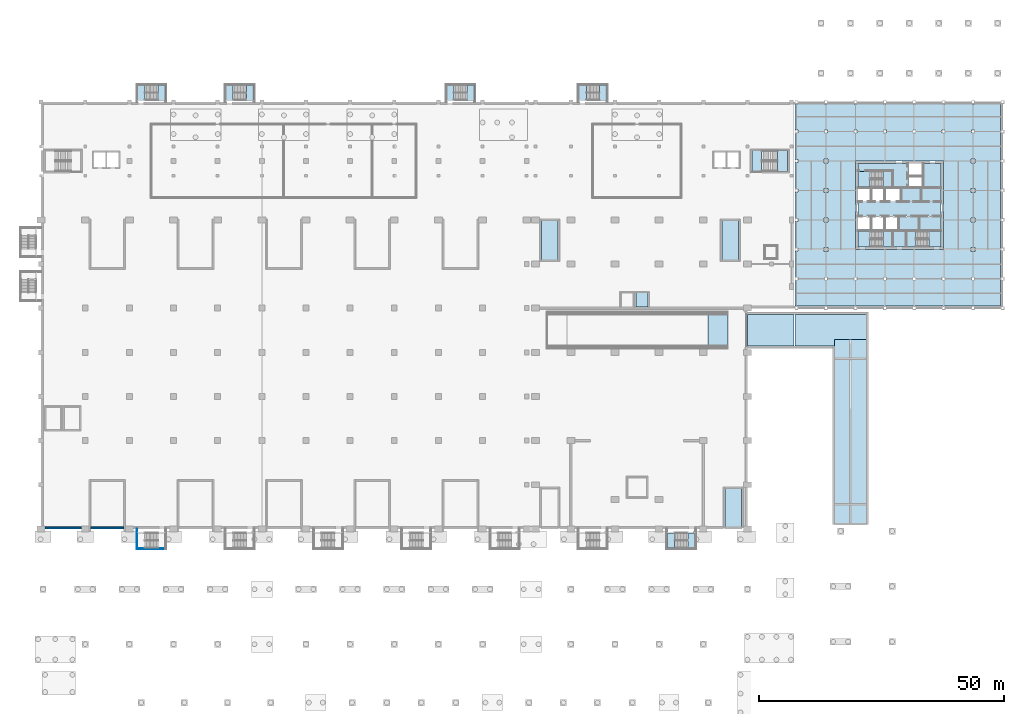
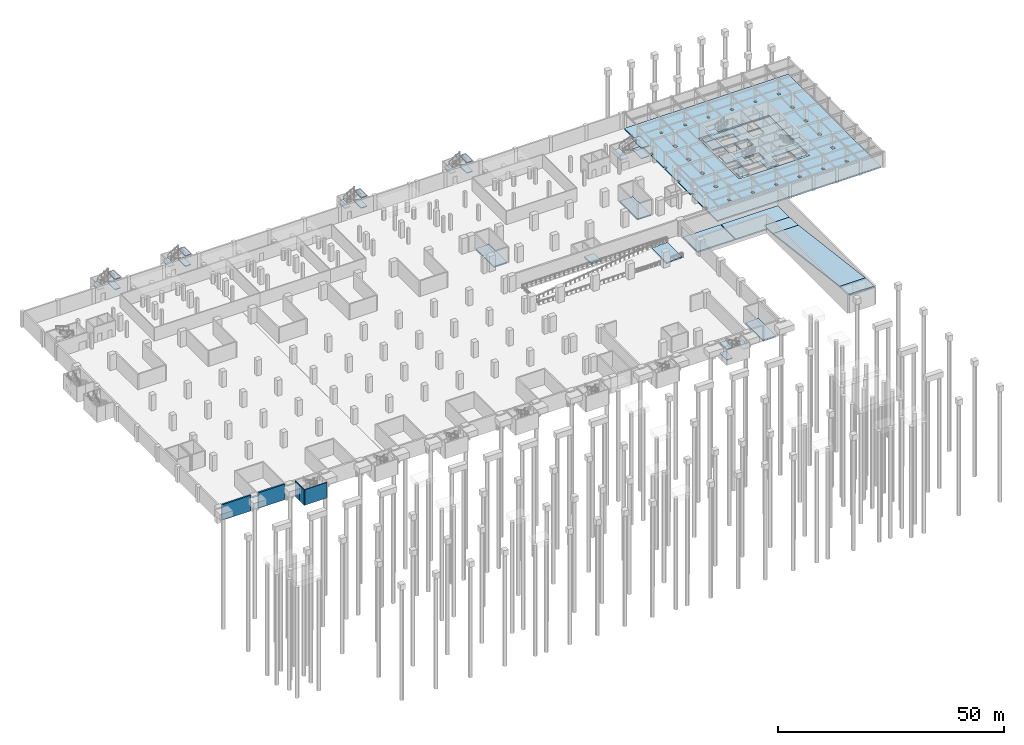
# One storey, part 10 of 27: 39 slabs, 5 walls, 9 elements without a shape of their own.
"""IFC4 building model written with IfcOpenShell, lengths in metres."""

from ifc_helpers import new_model, si_unit, direction, frame, frame_2d, origin, place, context, subcontext, project, spatial, polyline, rectangle, outline, extrude, material, layer, layer_set, type_object, element, aggregate, save


model = new_model("IFC4")

# Units and contexts
model_context = context("Model", 3, precision=1e-05, world=origin(), true_north=direction((0.0, 1.0)))
body_context = subcontext(model_context, "Body", "Model", "MODEL_VIEW")
ifc_project = project(units=[si_unit("LENGTHUNIT", "METRE"), si_unit("AREAUNIT", "SQUARE_METRE"), si_unit("VOLUMEUNIT", "CUBIC_METRE"), si_unit("PLANEANGLEUNIT", "RADIAN"), si_unit("MASSUNIT", "GRAM", prefix="KILO")], contexts=[model_context])

# Site, building, storey
site_placement = place(None, origin())
site = spatial("IfcSite", under=ifc_project, at=site_placement, CompositionType="ELEMENT")
building_placement = place(site_placement, origin())
building = spatial("IfcBuilding", under=site, at=building_placement, Name="Aravalli Gate Trade Fair Centre", CompositionType="ELEMENT")
storey_placement = place(building_placement, frame((0.0, 0.0, -4.199951171875)))
storey = spatial("IfcBuildingStorey", under=building, at=storey_placement, Name="B1", CompositionType="ELEMENT", Elevation=-4.199951171875)

# Slabs
ifc_material_1 = material(Name="Concrete M40", Category="concrete")
ifc_layer_1 = layer(ifc_material_1, 0.35009765625)
ifc_layer_set_1 = layer_set([ifc_layer_1], Name="Concrete M40")
slab_type_1 = type_object("IfcSlabType", Name="Basement floor slab 350", PredefinedType="FLOOR", material=ifc_layer_set_1)
slab_1_placement = place(storey_placement, frame((0.0, 0.0, -0.35009765625)))
element("IfcSlab", 1, at=slab_1_placement, inside=storey, type_object=slab_type_1, Name="Basement floor slab B1 west of the seismic joint", PredefinedType="FLOOR", context=body_context, shape_type="SweptSolid", body=[
    extrude(outline(polyline([(111.39794921875, 100.85205078125), (108.001953125, 100.85205078125), (108.001953125, 108.847900390625), (111.39794921875, 108.847900390625), (111.39794921875, 100.85205078125)])), origin(), (0.0, 0.0, 1.0), 0.35009765625),
])
slab_2_placement = place(storey_placement, frame((0.0, 0.0, -0.35009765625)))
element("IfcSlab", 2, at=slab_2_placement, inside=storey, type_object=slab_type_1, Name="Basement floor slab B1 west of the seismic joint", PredefinedType="FLOOR", context=body_context, shape_type="SweptSolid", body=[
    extrude(outline(polyline([(127.251953125, 94.14794921875), (129.748046875, 94.14794921875), (129.748046875, 91.201904296875), (127.251953125, 91.201904296875), (127.251953125, 94.14794921875)])), origin(), (0.0, 0.0, 1.0), 0.35009765625),
])
slab_3_placement = place(storey_placement, frame((0.0, 0.0, -0.35009765625)))
element("IfcSlab", 3, at=slab_3_placement, inside=storey, type_object=slab_type_1, Name="Basement floor slab B1 west of the seismic joint", PredefinedType="FLOOR", context=body_context, shape_type="SweptSolid", body=[
    extrude(outline(polyline([(144.802001953125, 100.85205078125), (144.802001953125, 108.847900390625), (148.197998046875, 108.847900390625), (148.197998046875, 100.85205078125), (144.802001953125, 100.85205078125)])), origin(), (0.0, 0.0, 1.0), 0.35009765625),
])
slab_4_placement = place(storey_placement, frame((0.0, 0.0, -0.35009765625)))
element("IfcSlab", 4, at=slab_4_placement, inside=storey, type_object=slab_type_1, Name="Basement floor slab B1 west of the seismic joint", PredefinedType="FLOOR", context=body_context, shape_type="SweptSolid", body=[
    extrude(outline(polyline([(145.402099609375, 46.39990234375), (145.402099609375, 54.197998046875), (148.798095703125, 54.197998046875), (148.798095703125, 46.39990234375), (145.402099609375, 46.39990234375)])), origin(), (0.0, 0.0, 1.0), 0.35009765625),
])
slab_5_placement = place(storey_placement, frame((0.0, 0.0, -0.35009765625)))
element("IfcSlab", 5, at=slab_5_placement, inside=storey, type_object=slab_type_1, Name="Basement floor slab B1 east of the seismic joint", PredefinedType="FLOOR", context=body_context, shape_type="SweptSolid", body=[
    extrude(outline(polyline([(201.60009765625, 132.60009765625), (201.60009765625, 91.39990234375), (159.699951171875, 91.39990234375), (159.699951171875, 96.697998046875), (160.302001953125, 96.697998046875), (160.302001953125, 97.302001953125), (159.699951171875, 97.302001953125), (159.699951171875, 102.697998046875), (160.302001953125, 102.697998046875), (160.302001953125, 103.302001953125), (159.699951171875, 103.302001953125), (159.699951171875, 108.697998046875), (160.302001953125, 108.697998046875), (160.302001953125, 109.302001953125), (159.699951171875, 109.302001953125), (159.699951171875, 114.697998046875), (160.302001953125, 114.697998046875), (160.302001953125, 115.302001953125), (159.699951171875, 115.302001953125), (159.699951171875, 120.697998046875), (160.302001953125, 120.697998046875), (160.302001953125, 121.302001953125), (159.699951171875, 121.302001953125), (159.699951171875, 126.697998046875), (160.302001953125, 126.697998046875), (160.302001953125, 127.302001953125), (159.699951171875, 127.302001953125), (159.699951171875, 132.60009765625), (201.60009765625, 132.60009765625)]), holes=[polyline([(196.402099609375, 121.402099609375), (195.597900390625, 121.402099609375), (195.597900390625, 120.597900390625), (196.402099609375, 120.597900390625), (196.402099609375, 121.402099609375)]), polyline([(196.402099609375, 115.402099609375), (195.597900390625, 115.402099609375), (195.597900390625, 114.597900390625), (196.402099609375, 114.597900390625), (196.402099609375, 115.402099609375)]), polyline([(196.402099609375, 108.597900390625), (196.402099609375, 109.402099609375), (195.597900390625, 109.402099609375), (195.597900390625, 108.597900390625), (196.402099609375, 108.597900390625)]), polyline([(196.402099609375, 102.597900390625), (196.402099609375, 103.402099609375), (195.597900390625, 103.402099609375), (195.597900390625, 102.597900390625), (196.402099609375, 102.597900390625)]), polyline([(196.302001953125, 126.697998046875), (196.302001953125, 127.302001953125), (195.697998046875, 127.302001953125), (195.697998046875, 126.697998046875), (196.302001953125, 126.697998046875)]), polyline([(196.302001953125, 97.302001953125), (195.697998046875, 97.302001953125), (195.697998046875, 96.697998046875), (196.302001953125, 96.697998046875), (196.302001953125, 97.302001953125)]), polyline([(190.302001953125, 127.302001953125), (189.697998046875, 127.302001953125), (189.697998046875, 126.697998046875), (190.302001953125, 126.697998046875), (190.302001953125, 127.302001953125)]), polyline([(190.302001953125, 96.697998046875), (190.302001953125, 97.302001953125), (189.697998046875, 97.302001953125), (189.697998046875, 96.697998046875), (190.302001953125, 96.697998046875)]), polyline([(190.001953125, 103.498046875), (190.001953125, 103.501953125), (190.001953125, 120.498046875), (190.001953125, 120.501953125), (190.001953125, 121.001953125), (171.998046875, 121.001953125), (171.998046875, 120.501953125), (171.998046875, 120.498046875), (171.998046875, 103.501953125), (171.998046875, 103.498046875), (171.998046875, 102.998046875), (190.001953125, 102.998046875), (190.001953125, 103.498046875)]), polyline([(184.302001953125, 97.302001953125), (183.697998046875, 97.302001953125), (183.697998046875, 96.697998046875), (184.302001953125, 96.697998046875), (184.302001953125, 97.302001953125)]), polyline([(184.302001953125, 126.697998046875), (184.302001953125, 127.302001953125), (183.697998046875, 127.302001953125), (183.697998046875, 126.697998046875), (184.302001953125, 126.697998046875)]), polyline([(178.302001953125, 126.697998046875), (178.302001953125, 127.302001953125), (177.697998046875, 127.302001953125), (177.697998046875, 126.697998046875), (178.302001953125, 126.697998046875)]), polyline([(178.302001953125, 97.302001953125), (177.697998046875, 97.302001953125), (177.697998046875, 96.697998046875), (178.302001953125, 96.697998046875), (178.302001953125, 97.302001953125)]), polyline([(172.302001953125, 127.302001953125), (171.697998046875, 127.302001953125), (171.697998046875, 126.697998046875), (172.302001953125, 126.697998046875), (172.302001953125, 127.302001953125)]), polyline([(172.302001953125, 96.697998046875), (172.302001953125, 97.302001953125), (171.697998046875, 97.302001953125), (171.697998046875, 96.697998046875), (172.302001953125, 96.697998046875)]), polyline([(166.402099609375, 120.597900390625), (166.402099609375, 121.402099609375), (165.597900390625, 121.402099609375), (165.597900390625, 120.597900390625), (166.402099609375, 120.597900390625)]), polyline([(166.402099609375, 114.597900390625), (166.402099609375, 115.402099609375), (165.597900390625, 115.402099609375), (165.597900390625, 114.597900390625), (166.402099609375, 114.597900390625)]), polyline([(166.402099609375, 109.402099609375), (165.597900390625, 109.402099609375), (165.597900390625, 108.597900390625), (166.402099609375, 108.597900390625), (166.402099609375, 109.402099609375)]), polyline([(166.402099609375, 102.597900390625), (166.402099609375, 103.402099609375), (165.597900390625, 103.402099609375), (165.597900390625, 102.597900390625), (166.402099609375, 102.597900390625)]), polyline([(166.302001953125, 96.697998046875), (166.302001953125, 97.302001953125), (165.697998046875, 97.302001953125), (165.697998046875, 96.697998046875), (166.302001953125, 96.697998046875)]), polyline([(166.302001953125, 126.697998046875), (166.302001953125, 127.302001953125), (165.697998046875, 127.302001953125), (165.697998046875, 126.697998046875), (166.302001953125, 126.697998046875)])]), origin(), (0.0, 0.0, 1.0), 0.35009765625),
])
slab_6_placement = place(storey_placement, frame((0.0, 0.0, -0.35009765625)))
element("IfcSlab", 6, at=slab_6_placement, inside=storey, type_object=slab_type_1, Name="Basement floor slab B1 east of the seismic joint", PredefinedType="FLOOR", context=body_context, shape_type="SweptSolid", body=[
    extrude(outline(polyline([(189.498046875, 106.701904296875), (182.498046875, 106.701904296875), (182.498046875, 103.501953125), (179.501953125, 103.501953125), (179.501953125, 106.701904296875), (172.501953125, 106.701904296875), (172.501953125, 106.89794921875), (175.10205078125, 106.89794921875), (175.10205078125, 109.60205078125), (172.501953125, 109.60205078125), (172.501953125, 112.798095703125), (175.10205078125, 112.798095703125), (175.10205078125, 115.501953125), (172.501953125, 115.501953125), (172.501953125, 115.697998046875), (179.501953125, 115.697998046875), (179.501953125, 118.902099609375), (172.501953125, 118.902099609375), (172.501953125, 120.498046875), (182.798095703125, 120.498046875), (182.798095703125, 117.998046875), (185.701904296875, 117.998046875), (185.701904296875, 120.498046875), (189.498046875, 120.498046875), (189.498046875, 106.701904296875)]), holes=[polyline([(185.701904296875, 117.802001953125), (182.798095703125, 117.802001953125), (182.798095703125, 115.697998046875), (185.701904296875, 115.697998046875), (185.701904296875, 117.802001953125)]), polyline([(181.302001953125, 112.798095703125), (181.302001953125, 115.501953125), (178.097900390625, 115.501953125), (178.097900390625, 112.798095703125), (181.302001953125, 112.798095703125)]), polyline([(180.701904296875, 106.89794921875), (180.701904296875, 109.60205078125), (178.097900390625, 109.60205078125), (178.097900390625, 106.89794921875), (180.701904296875, 106.89794921875)]), polyline([(177.902099609375, 115.501953125), (175.298095703125, 115.501953125), (175.298095703125, 112.798095703125), (177.902099609375, 112.798095703125), (177.902099609375, 115.501953125)]), polyline([(177.902099609375, 106.89794921875), (177.902099609375, 109.60205078125), (175.298095703125, 109.60205078125), (175.298095703125, 106.89794921875), (177.902099609375, 106.89794921875)])]), origin(), (0.0, 0.0, 1.0), 0.35009765625),
])
ifc_layer_2 = layer(ifc_material_1, 0.35009765625)
ifc_layer_set_2 = layer_set([ifc_layer_2], Name="Concrete M40")
slab_type_2 = type_object("IfcSlabType", Name="Basement ramp landing 350", PredefinedType="LANDING", material=ifc_layer_set_2)
slab_7_placement = place(storey_placement, frame((0.0, 0.0, -0.35009765625)))
element("IfcSlab", 7, at=slab_7_placement, inside=storey, type_object=slab_type_2, Name="Ramp landing B1, part 1 of 2", PredefinedType="LANDING", context=body_context, shape_type="SweptSolid", body=[
    extrude(outline(polyline([(150.0, 83.25), (159.5, 83.25), (159.5, 89.75), (150.0, 89.75), (150.0, 83.25)])), origin(), (0.0, 0.0, 1.0), 0.35009765625),
])
slab_8_placement = place(storey_placement, frame((0.0, 0.0, -0.35009765625)))
element("IfcSlab", 8, at=slab_8_placement, inside=storey, type_object=slab_type_2, Name="Ramp landing B1, part 2 of 2", PredefinedType="LANDING", context=body_context, shape_type="SweptSolid", body=[
    extrude(outline(polyline([(174.25, 89.75), (159.699951171875, 89.75), (159.699951171875, 83.25), (167.75, 83.25), (167.75, 84.60009765625), (174.25, 84.60009765625), (174.25, 89.75)])), origin(), (0.0, 0.0, 1.0), 0.35009765625),
])

# Stair, slabs
stair_type_1 = type_object("IfcStairType", Name="Basement exit stair 1500", PredefinedType="HALF_TURN_STAIR", material=ifc_material_1)
stair_1_placement = place(storey_placement, origin())
stair_1 = element("IfcStair", 9, at=stair_1_placement, inside=storey, type_object=stair_type_1, Name="Basement exit stair N1 B1 to L00", PredefinedType="HALF_TURN_STAIR")
ifc_material_2 = material(Name="Concrete M35", Category="concrete")
ifc_layer_3 = layer(ifc_material_2, 0.199951171875)
ifc_layer_set_3 = layer_set([ifc_layer_3], Name="Concrete M35")
slab_type_3 = type_object("IfcSlabType", Name="Basement stair landing 200", PredefinedType="LANDING", material=ifc_layer_set_3)
slab_9_placement = place(storey_placement, frame((0.0, 0.0, 1.199951171875)))
slab_9 = element("IfcSlab", 10, at=slab_9_placement, type_object=slab_type_3, Name="BS1 landing 1", PredefinedType="LANDING", context=body_context, shape_type="SweptSolid", body=[
    extrude(outline(polyline([(29.85009765625, 133.3798828125), (31.35009765625, 133.3798828125), (31.35009765625, 136.47998046875), (29.85009765625, 136.47998046875), (29.85009765625, 133.3798828125)])), origin(), (0.0, 0.0, 1.0), 0.199951171875),
])
slab_10_placement = place(storey_placement, frame((0.0, 0.0, 2.599853515625)))
slab_10 = element("IfcSlab", 11, at=slab_10_placement, type_object=slab_type_3, Name="BS1 landing 2", PredefinedType="LANDING", context=body_context, shape_type="SweptSolid", body=[
    extrude(outline(polyline([(25.64990234375, 133.3798828125), (27.14990234375, 133.3798828125), (27.14990234375, 136.47998046875), (25.64990234375, 136.47998046875), (25.64990234375, 133.3798828125)])), origin(), (0.0, 0.0, 1.0), 0.2001953125),
])
slab_11_placement = place(storey_placement, frame((0.0, 0.0, 4.0)))
slab_11 = element("IfcSlab", 12, at=slab_11_placement, type_object=slab_type_3, Name="BS1 landing 3", PredefinedType="LANDING", context=body_context, shape_type="SweptSolid", body=[
    extrude(outline(polyline([(29.85009765625, 133.3798828125), (31.35009765625, 133.3798828125), (31.35009765625, 136.47998046875), (29.85009765625, 136.47998046875), (29.85009765625, 133.3798828125)])), origin(), (0.0, 0.0, 1.0), 0.199951171875),
])
aggregate(stair_1, [slab_9, slab_10, slab_11])

stair_2_placement = place(storey_placement, origin())
stair_2 = element("IfcStair", 13, at=stair_2_placement, inside=storey, type_object=stair_type_1, Name="Basement exit stair N2 B1 to L00", PredefinedType="HALF_TURN_STAIR")
slab_12_placement = place(storey_placement, frame((0.0, 0.0, 1.199951171875)))
slab_12 = element("IfcSlab", 14, at=slab_12_placement, type_object=slab_type_3, Name="BS1 landing 1", PredefinedType="LANDING", context=body_context, shape_type="SweptSolid", body=[
    extrude(outline(polyline([(47.85009765625, 133.3798828125), (49.35009765625, 133.3798828125), (49.35009765625, 136.47998046875), (47.85009765625, 136.47998046875), (47.85009765625, 133.3798828125)])), origin(), (0.0, 0.0, 1.0), 0.199951171875),
])
slab_13_placement = place(storey_placement, frame((0.0, 0.0, 2.599853515625)))
slab_13 = element("IfcSlab", 15, at=slab_13_placement, type_object=slab_type_3, Name="BS1 landing 2", PredefinedType="LANDING", context=body_context, shape_type="SweptSolid", body=[
    extrude(outline(polyline([(43.64990234375, 133.3798828125), (45.14990234375, 133.3798828125), (45.14990234375, 136.47998046875), (43.64990234375, 136.47998046875), (43.64990234375, 133.3798828125)])), origin(), (0.0, 0.0, 1.0), 0.2001953125),
])
slab_14_placement = place(storey_placement, frame((0.0, 0.0, 4.0)))
slab_14 = element("IfcSlab", 16, at=slab_14_placement, type_object=slab_type_3, Name="BS1 landing 3", PredefinedType="LANDING", context=body_context, shape_type="SweptSolid", body=[
    extrude(outline(polyline([(47.85009765625, 133.3798828125), (49.35009765625, 133.3798828125), (49.35009765625, 136.47998046875), (47.85009765625, 136.47998046875), (47.85009765625, 133.3798828125)])), origin(), (0.0, 0.0, 1.0), 0.199951171875),
])
aggregate(stair_2, [slab_12, slab_13, slab_14])

stair_3_placement = place(storey_placement, origin())
stair_3 = element("IfcStair", 17, at=stair_3_placement, inside=storey, type_object=stair_type_1, Name="Basement exit stair N3 B1 to L00", PredefinedType="HALF_TURN_STAIR")
slab_15_placement = place(storey_placement, frame((0.0, 0.0, 1.199951171875)))
slab_15 = element("IfcSlab", 18, at=slab_15_placement, type_object=slab_type_3, Name="BS1 landing 1", PredefinedType="LANDING", context=body_context, shape_type="SweptSolid", body=[
    extrude(outline(polyline([(92.85009765625, 133.3798828125), (94.35009765625, 133.3798828125), (94.35009765625, 136.47998046875), (92.85009765625, 136.47998046875), (92.85009765625, 133.3798828125)])), origin(), (0.0, 0.0, 1.0), 0.199951171875),
])
slab_16_placement = place(storey_placement, frame((0.0, 0.0, 2.599853515625)))
slab_16 = element("IfcSlab", 19, at=slab_16_placement, type_object=slab_type_3, Name="BS1 landing 2", PredefinedType="LANDING", context=body_context, shape_type="SweptSolid", body=[
    extrude(outline(polyline([(88.64990234375, 133.3798828125), (90.14990234375, 133.3798828125), (90.14990234375, 136.47998046875), (88.64990234375, 136.47998046875), (88.64990234375, 133.3798828125)])), origin(), (0.0, 0.0, 1.0), 0.2001953125),
])
slab_17_placement = place(storey_placement, frame((0.0, 0.0, 4.0)))
slab_17 = element("IfcSlab", 20, at=slab_17_placement, type_object=slab_type_3, Name="BS1 landing 3", PredefinedType="LANDING", context=body_context, shape_type="SweptSolid", body=[
    extrude(outline(polyline([(92.85009765625, 133.3798828125), (94.35009765625, 133.3798828125), (94.35009765625, 136.47998046875), (92.85009765625, 136.47998046875), (92.85009765625, 133.3798828125)])), origin(), (0.0, 0.0, 1.0), 0.199951171875),
])
aggregate(stair_3, [slab_15, slab_16, slab_17])

stair_4_placement = place(storey_placement, origin())
stair_4 = element("IfcStair", 21, at=stair_4_placement, inside=storey, type_object=stair_type_1, Name="Basement exit stair N4 B1 to L00", PredefinedType="HALF_TURN_STAIR")
slab_18_placement = place(storey_placement, frame((0.0, 0.0, 1.199951171875)))
slab_18 = element("IfcSlab", 22, at=slab_18_placement, type_object=slab_type_3, Name="BS1 landing 1", PredefinedType="LANDING", context=body_context, shape_type="SweptSolid", body=[
    extrude(outline(polyline([(119.85009765625, 133.3798828125), (121.35009765625, 133.3798828125), (121.35009765625, 136.47998046875), (119.85009765625, 136.47998046875), (119.85009765625, 133.3798828125)])), origin(), (0.0, 0.0, 1.0), 0.199951171875),
])
slab_19_placement = place(storey_placement, frame((0.0, 0.0, 2.599853515625)))
slab_19 = element("IfcSlab", 23, at=slab_19_placement, type_object=slab_type_3, Name="BS1 landing 2", PredefinedType="LANDING", context=body_context, shape_type="SweptSolid", body=[
    extrude(outline(polyline([(115.64990234375, 133.3798828125), (117.14990234375, 133.3798828125), (117.14990234375, 136.47998046875), (115.64990234375, 136.47998046875), (115.64990234375, 133.3798828125)])), origin(), (0.0, 0.0, 1.0), 0.2001953125),
])
slab_20_placement = place(storey_placement, frame((0.0, 0.0, 4.0)))
slab_20 = element("IfcSlab", 24, at=slab_20_placement, type_object=slab_type_3, Name="BS1 landing 3", PredefinedType="LANDING", context=body_context, shape_type="SweptSolid", body=[
    extrude(outline(polyline([(119.85009765625, 133.3798828125), (121.35009765625, 133.3798828125), (121.35009765625, 136.47998046875), (119.85009765625, 136.47998046875), (119.85009765625, 133.3798828125)])), origin(), (0.0, 0.0, 1.0), 0.199951171875),
])
aggregate(stair_4, [slab_18, slab_19, slab_20])

stair_5_placement = place(storey_placement, origin())
stair_5 = element("IfcStair", 25, at=stair_5_placement, inside=storey, type_object=stair_type_1, Name="Basement exit stair S7 B1 to L00", PredefinedType="HALF_TURN_STAIR")
slab_21_placement = place(storey_placement, frame((0.0, 0.0, 1.199951171875)))
slab_21 = element("IfcSlab", 26, at=slab_21_placement, type_object=slab_type_3, Name="BS1 landing 1", PredefinedType="LANDING", context=body_context, shape_type="SweptSolid", body=[
    extrude(outline(polyline([(135.14990234375, 45.199951171875), (133.64990234375, 45.199951171875), (133.64990234375, 42.10009765625), (135.14990234375, 42.10009765625), (135.14990234375, 45.199951171875)])), origin(), (0.0, 0.0, 1.0), 0.199951171875),
])
slab_22_placement = place(storey_placement, frame((0.0, 0.0, 2.599853515625)))
slab_22 = element("IfcSlab", 27, at=slab_22_placement, type_object=slab_type_3, Name="BS1 landing 2", PredefinedType="LANDING", context=body_context, shape_type="SweptSolid", body=[
    extrude(outline(polyline([(139.35009765625, 45.199951171875), (137.85009765625, 45.199951171875), (137.85009765625, 42.10009765625), (139.35009765625, 42.10009765625), (139.35009765625, 45.199951171875)])), origin(), (0.0, 0.0, 1.0), 0.2001953125),
])
slab_23_placement = place(storey_placement, frame((0.0, 0.0, 4.0)))
slab_23 = element("IfcSlab", 28, at=slab_23_placement, type_object=slab_type_3, Name="BS1 landing 3", PredefinedType="LANDING", context=body_context, shape_type="SweptSolid", body=[
    extrude(outline(polyline([(135.14990234375, 45.199951171875), (133.64990234375, 45.199951171875), (133.64990234375, 42.10009765625), (135.14990234375, 42.10009765625), (135.14990234375, 45.199951171875)])), origin(), (0.0, 0.0, 1.0), 0.199951171875),
])
aggregate(stair_5, [slab_21, slab_22, slab_23])

# Slabs
ifc_layer_4 = layer(ifc_material_1, 0.35009765625)
ifc_layer_set_4 = layer_set([ifc_layer_4], Name="Concrete M40")
slab_type_4 = type_object("IfcSlabType", Name="Basement vehicle ramp slab 350", PredefinedType="USERDEFINED", material=ifc_layer_set_4)
slab_24_placement = place(storey_placement, frame((167.75, 47.0, 4.199951171875), z_axis=(0.0, 0.062378286155, 0.998052578483), x_axis=(1.0, 0.0, 0.0)))
element("IfcSlab", 29, at=slab_24_placement, inside=storey, type_object=slab_type_4, Name="Vehicle ramp slab A1", ObjectType="PAVING", PredefinedType="USERDEFINED", context=body_context, shape_type="SweptSolid", body=[
    extrude(outline(polyline([(0.0, 0.0), (6.5, 0.0), (6.5, 4.00780488547035), (0.0, 4.00780488547035), (0.0, 0.0)])), origin(), (0.0, 0.0, -1.0), 0.35009765625),
])
slab_25_placement = place(storey_placement, frame((167.75, 51.0, 3.949951171875), z_axis=(0.0, 0.124032719998, 0.992278128536), x_axis=(1.0, 0.0, 0.0)))
element("IfcSlab", 30, at=slab_25_placement, inside=storey, type_object=slab_type_4, Name="Vehicle ramp slab A2", ObjectType="PAVING", PredefinedType="USERDEFINED", context=body_context, shape_type="SweptSolid", body=[
    extrude(outline(polyline([(0.0, 0.0), (6.5, 0.0), (6.5, 29.830444514518987), (0.0, 29.830444514518987), (0.0, 0.0)])), origin(), (0.0, 0.0, -1.0), 0.35009765625),
])
for number, where, z_axis, x_axis, name in (
    (31, (167.75, 80.60009765625, 0.25), (0.0, 0.062378286155, 0.998052578483), (1.0, 0.0, 0.0), "Vehicle ramp slab A3"),
    (32, (146.0, 83.25, 0.0), (-0.062378286155, 0.0, 0.998052578483), (0.0, 1.0, 0.0), "Vehicle ramp slab B1"),
):
    element("IfcSlab", number, at=place(storey_placement, frame(where, z_axis=z_axis, x_axis=x_axis)), inside=storey, type_object=slab_type_4, Name=name, ObjectType="PAVING", PredefinedType="USERDEFINED", context=body_context, shape_type="SweptSolid", body=[
        extrude(outline(polyline([(0.0, 0.0), (6.5, 0.0), (6.5, 4.00780488547035), (0.0, 4.00780488547035), (0.0, 0.0)])), origin(), (0.0, 0.0, -1.0), 0.35009765625),
    ])

# Stair, slabs
ifc_material_3 = material(Name="Concrete M30", Category="concrete")
stair_type_2 = type_object("IfcStairType", Name="Concourse stair, 2000 wide", PredefinedType="HALF_TURN_STAIR", material=ifc_material_3)
stair_6_placement = place(storey_placement, origin())
stair_6 = element("IfcStair", 33, at=stair_6_placement, inside=storey, type_object=stair_type_2, Name="Stair ES B1", PredefinedType="HALF_TURN_STAIR")
ifc_layer_5 = layer(ifc_material_3, 0.199951171875)
ifc_layer_set_5 = layer_set([ifc_layer_5], Name="Concrete M30")
slab_type_5 = type_object("IfcSlabType", Name="Concourse stair landing 200", PredefinedType="LANDING", material=ifc_layer_set_5)
slab_26_placement = place(storey_placement, frame((0.0, 0.0, 1.199951171875)))
slab_26 = element("IfcSlab", 34, at=slab_26_placement, type_object=slab_type_5, Name="STES-B1 landing 1", PredefinedType="LANDING", context=body_context, shape_type="SweptSolid", body=[
    extrude(outline(polyline([(156.139892578125, 118.89990234375), (158.199951171875, 118.89990234375), (158.199951171875, 123.10009765625), (156.139892578125, 123.10009765625), (156.139892578125, 118.89990234375)])), origin(), (0.0, 0.0, 1.0), 0.199951171875),
])
slab_27_placement = place(storey_placement, frame((0.0, 0.0, 2.599853515625)))
slab_27 = element("IfcSlab", 35, at=slab_27_placement, type_object=slab_type_5, Name="STES-B1 landing 2", PredefinedType="LANDING", context=body_context, shape_type="SweptSolid", body=[
    extrude(outline(polyline([(150.89990234375, 118.89990234375), (152.89990234375, 118.89990234375), (152.89990234375, 123.10009765625), (150.89990234375, 123.10009765625), (150.89990234375, 118.89990234375)])), origin(), (0.0, 0.0, 1.0), 0.2001953125),
])
slab_28_placement = place(storey_placement, frame((0.0, 0.0, 4.0)))
slab_28 = element("IfcSlab", 36, at=slab_28_placement, type_object=slab_type_5, Name="STES-B1 landing 3", PredefinedType="LANDING", context=body_context, shape_type="SweptSolid", body=[
    extrude(outline(polyline([(156.139892578125, 118.89990234375), (158.199951171875, 118.89990234375), (158.199951171875, 123.10009765625), (156.139892578125, 123.10009765625), (156.139892578125, 118.89990234375)])), origin(), (0.0, 0.0, 1.0), 0.199951171875),
])
aggregate(stair_6, [slab_26, slab_27, slab_28])

stair_type_3 = type_object("IfcStairType", Name="Wing core stair", PredefinedType="HALF_TURN_STAIR", material=ifc_material_3)
stair_7_placement = place(storey_placement, origin())
stair_7 = element("IfcStair", 37, at=stair_7_placement, inside=storey, type_object=stair_type_3, Name="Stair S2 B1", PredefinedType="HALF_TURN_STAIR")
ifc_layer_6 = layer(ifc_material_3, 0.199951171875)
ifc_layer_set_6 = layer_set([ifc_layer_6], Name="Concrete M30")
slab_type_6 = type_object("IfcSlabType", Name="Wing core stair landing 200", PredefinedType="LANDING", material=ifc_layer_set_6)
slab_29_placement = place(storey_placement, frame((0.0, 0.0, -0.199951171875)))
slab_29 = element("IfcSlab", 38, at=slab_29_placement, type_object=slab_type_6, Name="TST1 landing 1", PredefinedType="LANDING", context=body_context, shape_type="SweptSolid", body=[
    extrude(outline(polyline([(172.5, 103.5), (174.949951171875, 103.5), (174.949951171875, 106.699951171875), (172.5, 106.699951171875), (172.5, 103.5)])), origin(), (0.0, 0.0, 1.0), 0.199951171875),
])
slab_30_placement = place(storey_placement, frame((0.0, 0.0, 1.248291015625)))
slab_30 = element("IfcSlab", 39, at=slab_30_placement, type_object=slab_type_6, Name="TST1 landing 2", PredefinedType="LANDING", context=body_context, shape_type="SweptSolid", body=[
    extrude(outline(polyline([(177.64990234375, 103.5), (179.5, 103.5), (179.5, 106.699951171875), (177.64990234375, 106.699951171875), (177.64990234375, 103.5)])), origin(), (0.0, 0.0, 1.0), 0.199951171875),
])
slab_31_placement = place(storey_placement, frame((0.0, 0.0, 2.696533203125)))
slab_31 = element("IfcSlab", 40, at=slab_31_placement, type_object=slab_type_6, Name="TST1 landing 3", PredefinedType="LANDING", context=body_context, shape_type="SweptSolid", body=[
    extrude(outline(polyline([(172.5, 103.5), (174.949951171875, 103.5), (174.949951171875, 106.699951171875), (172.5, 106.699951171875), (172.5, 103.5)])), origin(), (0.0, 0.0, 1.0), 0.199951171875),
])
aggregate(stair_7, [slab_29, slab_30, slab_31])

stair_8_placement = place(storey_placement, origin())
stair_8 = element("IfcStair", 41, at=stair_8_placement, inside=storey, type_object=stair_type_3, Name="Stair S1 B1", PredefinedType="HALF_TURN_STAIR")
slab_32_placement = place(storey_placement, frame((0.0, 0.0, -0.199951171875)))
slab_32 = element("IfcSlab", 42, at=slab_32_placement, type_object=slab_type_6, Name="TST1 landing 1", PredefinedType="LANDING", context=body_context, shape_type="SweptSolid", body=[
    extrude(outline(polyline([(187.050048828125, 103.5), (189.5, 103.5), (189.5, 106.699951171875), (187.050048828125, 106.699951171875), (187.050048828125, 103.5)])), origin(), (0.0, 0.0, 1.0), 0.199951171875),
])
slab_33_placement = place(storey_placement, frame((0.0, 0.0, 1.248291015625)))
slab_33 = element("IfcSlab", 43, at=slab_33_placement, type_object=slab_type_6, Name="TST1 landing 2", PredefinedType="LANDING", context=body_context, shape_type="SweptSolid", body=[
    extrude(outline(polyline([(182.5, 103.5), (184.35009765625, 103.5), (184.35009765625, 106.699951171875), (182.5, 106.699951171875), (182.5, 103.5)])), origin(), (0.0, 0.0, 1.0), 0.199951171875),
])
slab_34_placement = place(storey_placement, frame((0.0, 0.0, 2.696533203125)))
slab_34 = element("IfcSlab", 44, at=slab_34_placement, type_object=slab_type_6, Name="TST1 landing 3", PredefinedType="LANDING", context=body_context, shape_type="SweptSolid", body=[
    extrude(outline(polyline([(187.050048828125, 103.5), (189.5, 103.5), (189.5, 106.699951171875), (187.050048828125, 106.699951171875), (187.050048828125, 103.5)])), origin(), (0.0, 0.0, 1.0), 0.199951171875),
])
aggregate(stair_8, [slab_32, slab_33, slab_34])

stair_9_placement = place(storey_placement, origin())
stair_9 = element("IfcStair", 45, at=stair_9_placement, inside=storey, type_object=stair_type_3, Name="Stair FFS B1", PredefinedType="HALF_TURN_STAIR")
slab_35_placement = place(storey_placement, frame((0.0, 0.0, -0.199951171875)))
slab_35 = element("IfcSlab", 46, at=slab_35_placement, type_object=slab_type_6, Name="TST1 landing 1", PredefinedType="LANDING", context=body_context, shape_type="SweptSolid", body=[
    extrude(outline(polyline([(172.5, 115.699951171875), (174.949951171875, 115.699951171875), (174.949951171875, 118.89990234375), (172.5, 118.89990234375), (172.5, 115.699951171875)])), origin(), (0.0, 0.0, 1.0), 0.199951171875),
])
slab_36_placement = place(storey_placement, frame((0.0, 0.0, 1.248291015625)))
slab_36 = element("IfcSlab", 47, at=slab_36_placement, type_object=slab_type_6, Name="TST1 landing 2", PredefinedType="LANDING", context=body_context, shape_type="SweptSolid", body=[
    extrude(outline(polyline([(177.64990234375, 115.699951171875), (179.5, 115.699951171875), (179.5, 118.89990234375), (177.64990234375, 118.89990234375), (177.64990234375, 115.699951171875)])), origin(), (0.0, 0.0, 1.0), 0.199951171875),
])
slab_37_placement = place(storey_placement, frame((0.0, 0.0, 2.696533203125)))
slab_37 = element("IfcSlab", 48, at=slab_37_placement, type_object=slab_type_6, Name="TST1 landing 3", PredefinedType="LANDING", context=body_context, shape_type="SweptSolid", body=[
    extrude(outline(polyline([(172.5, 115.699951171875), (174.949951171875, 115.699951171875), (174.949951171875, 118.89990234375), (172.5, 118.89990234375), (172.5, 115.699951171875)])), origin(), (0.0, 0.0, 1.0), 0.199951171875),
])
aggregate(stair_9, [slab_35, slab_36, slab_37])

# Walls
ifc_layer_7 = layer(ifc_material_1, 0.39990234375)
ifc_layer_set_7 = layer_set([ifc_layer_7], Name="Concrete M40")
wall_type_1 = type_object("IfcWallType", Name="Basement retaining wall 400", PredefinedType="SOLIDWALL", material=ifc_layer_set_7)
wall_1_placement = place(storey_placement, frame((6.800048828125, 46.199951171875, 0.0), z_axis=(0.0, 0.0, 1.0), x_axis=(1.0, 0.0, 0.0)))
element("IfcWall", 49, at=wall_1_placement, inside=storey, type_object=wall_type_1, Name="Retaining wall S01 B1", PredefinedType="SOLIDWALL", context=body_context, shape_type="SweptSolid", body=[
    extrude(rectangle(XDim=7.39990234375, YDim=0.39990234375, at=frame_2d((3.699951171875, 0.0))), origin(), (0.0, 0.0, 1.0), 4.199951171875),
])
wall_2_placement = place(storey_placement, frame((16.10009765625, 46.199951171875, 0.0), z_axis=(0.0, 0.0, 1.0), x_axis=(1.0, 0.0, 0.0)))
element("IfcWall", 50, at=wall_2_placement, inside=storey, type_object=wall_type_1, Name="Retaining wall S02 B1", PredefinedType="SOLIDWALL", context=body_context, shape_type="SweptSolid", body=[
    extrude(rectangle(XDim=6.7998046875, YDim=0.39990234375, at=frame_2d((3.39990234375, 0.0))), origin(), (0.0, 0.0, 1.0), 4.199951171875),
])
ifc_layer_8 = layer(ifc_material_2, 0.199951171875)
ifc_layer_set_8 = layer_set([ifc_layer_8], Name="Concrete M35")
wall_type_2 = type_object("IfcWallType", Name="Basement stair enclosure wall 200", PredefinedType="SOLIDWALL", material=ifc_layer_set_8)
for number, where, z_axis, x_axis, name in (
    (51, (25.550048828125, 46.0, 0.0), (0.0, 0.0, 1.0), (0.0, -1.0, 0.0), "Basement stair S1 enclosure wall L1 B1"),
    (52, (25.550048828125, 43.949951171875, 0.0), (0.0, 0.0, 1.0), (0.0, -1.0, 0.0), "Basement stair S1 enclosure wall L2 B1"),
):
    element("IfcWall", number, at=place(storey_placement, frame(where, z_axis=z_axis, x_axis=x_axis)), inside=storey, type_object=wall_type_2, Name=name, PredefinedType="SOLIDWALL", context=body_context, shape_type="SweptSolid", body=[
        extrude(rectangle(XDim=2.050048828125, YDim=0.199951171875, at=frame_2d((1.02490234375, 0.0))), origin(), (0.0, 0.0, 1.0), 4.199951171875),
    ])
wall_3_placement = place(storey_placement, frame((25.64990234375, 42.0, 0.0), z_axis=(0.0, 0.0, 1.0), x_axis=(1.0, 0.0, 0.0)))
element("IfcWall", 53, at=wall_3_placement, inside=storey, type_object=wall_type_2, Name="Basement stair S1 enclosure wall O B1", PredefinedType="SOLIDWALL", context=body_context, shape_type="SweptSolid", body=[
    extrude(rectangle(XDim=5.7001953125, YDim=0.199951171875, at=frame_2d((2.85009765625, 0.0))), origin(), (0.0, 0.0, 1.0), 4.199951171875),
])

save(model, "model.ifc")
